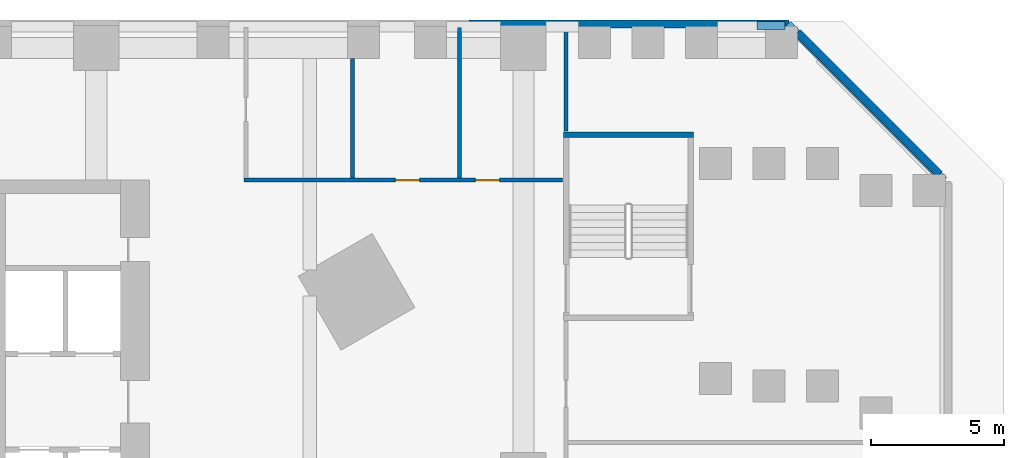
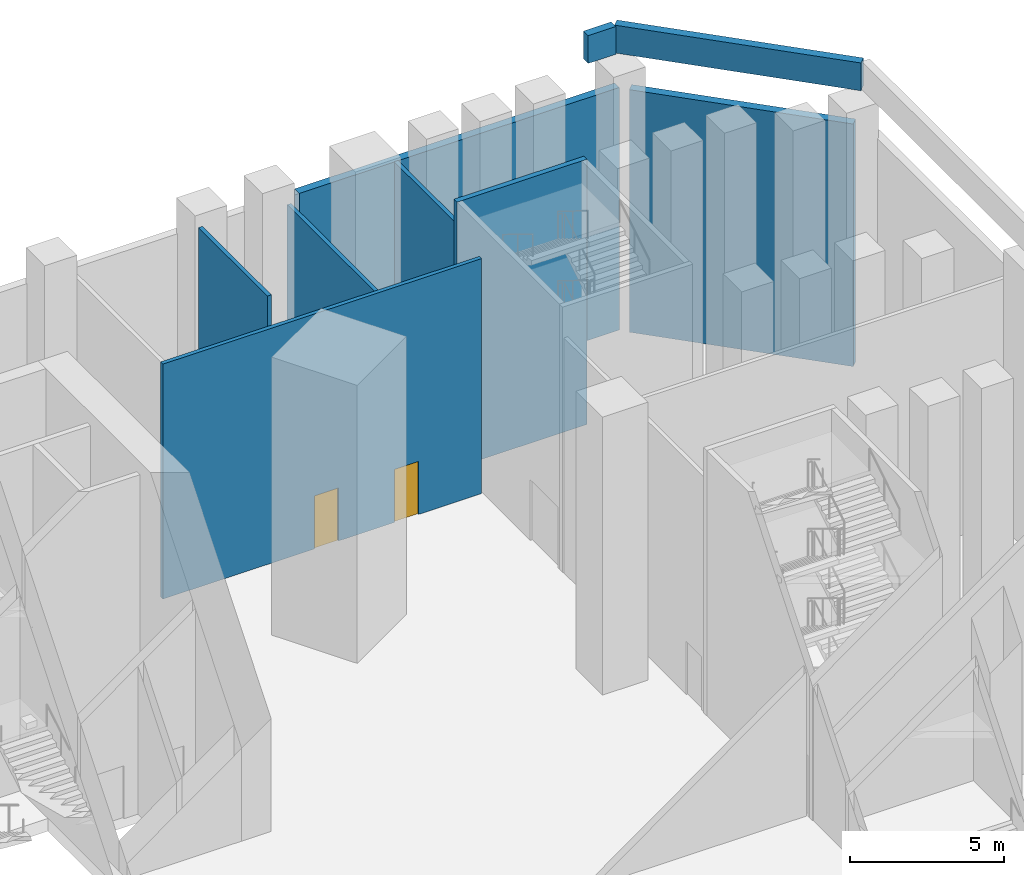
# One storey, part 12 of 31: 9 walls, 2 doors, 2 openings.
"""IFC4 building model written with IfcOpenShell, lengths in metres."""

from ifc_helpers import new_model, si_unit, direction, frame, frame_2d, origin, place, context, subcontext, project, spatial, rectangle, extrude, material, layer, layer_set, type_object, element, fill, save


model = new_model("IFC4")

# Units and contexts
model_context = context("Model", 3, precision=1e-05, world=origin(), true_north=direction((0.0, 1.0)))
body_context = subcontext(model_context, "Body", "Model", "MODEL_VIEW")
ifc_project = project(units=[si_unit("LENGTHUNIT", "METRE"), si_unit("AREAUNIT", "SQUARE_METRE"), si_unit("VOLUMEUNIT", "CUBIC_METRE"), si_unit("PLANEANGLEUNIT", "RADIAN"), si_unit("MASSUNIT", "GRAM", prefix="KILO")], contexts=[model_context])

# Site, building, storey
site_placement = place(None, origin())
site = spatial("IfcSite", under=ifc_project, at=site_placement, CompositionType="ELEMENT")
building_placement = place(site_placement, origin())
building = spatial("IfcBuilding", under=site, at=building_placement, Name="Calabash Gate Tower", CompositionType="ELEMENT")
storey_placement = place(building_placement, frame((0.0, 0.0, 9.0)))
storey = spatial("IfcBuildingStorey", under=building, at=storey_placement, Name="L01", CompositionType="ELEMENT", Elevation=9.0)

# Wall, openings, doors
ifc_material_1 = material(Name="Gypsum board on steel studs, mineral wool", Category="steel")
ifc_layer_1 = layer(ifc_material_1, 0.14990234375)
ifc_layer_set_1 = layer_set([ifc_layer_1], Name="Partition 150 gypsum board")
wall_type_1 = type_object("IfcWallType", Name="Partition 150 gypsum board", PredefinedType="PARTITIONING", material=ifc_layer_set_1)
wall_1_placement = place(storey_placement, frame((21.52490234375, 19.050048828125, 0.0), z_axis=(0.0, 0.0, 1.0), x_axis=(1.0, 0.0, 0.0)))
wall_1 = element("IfcWall", 1, at=wall_1_placement, inside=storey, type_object=wall_type_1, Name="Partition", PredefinedType="PARTITIONING", context=body_context, shape_type="SweptSolid", body=[
    extrude(rectangle(XDim=11.93505859375, YDim=0.14990234375, at=frame_2d((5.967529296875, 0.0))), origin(), (0.0, 0.0, 1.0), 9.300048828125),
])
opening_1_placement = place(wall_1_placement, frame((5.675048828125, 0.0, 0.0)))
opening_1 = element("IfcOpeningElement", 2, at=opening_1_placement, cuts=wall_1, Name="Opening L01-042", PredefinedType="OPENING", context=body_context, shape_type="SweptSolid", body=[
    extrude(rectangle(XDim=0.89990234375, YDim=2.10009765625, at=frame_2d((0.449951171875, 1.050048828125))), frame((0.0, 0.0849609375, 0.0), z_axis=(0.0, -1.0, 0.0), x_axis=(1.0, 0.0, 0.0)), (0.0, 0.0, 1.0), 0.169921875),
])
opening_2_placement = place(wall_1_placement, frame((8.675048828125, 0.0, 0.0)))
opening_2 = element("IfcOpeningElement", 3, at=opening_2_placement, cuts=wall_1, Name="Opening L01-043", PredefinedType="OPENING", context=body_context, shape_type="SweptSolid", body=[
    extrude(rectangle(XDim=0.89990234375, YDim=2.10009765625, at=frame_2d((0.449951171875, 1.050048828125))), frame((0.0, 0.0849609375, 0.0), z_axis=(0.0, -1.0, 0.0), x_axis=(1.0, 0.0, 0.0)), (0.0, 0.0, 1.0), 0.169921875),
])
ifc_material_2 = material(Name="Steel fire door set with fire-resisting glazing", Category="steel")
door_type = type_object("IfcDoorType", Name="Fire door D13 900x2100 FD30", OperationType="NOTDEFINED", PredefinedType="DOOR", material=ifc_material_2)
door_1_placement = place(opening_1_placement, origin())
door_1 = element("IfcDoor", 4, at=door_1_placement, inside=storey, type_object=door_type, Name="Women's WC door", OperationType="SINGLE_SWING_RIGHT", OverallHeight=2.10009765625, OverallWidth=0.89990234375, PredefinedType="DOOR", context=body_context, shape_type="SweptSolid", body=[
    extrude(rectangle(XDim=0.89990234375, YDim=2.10009765625, at=frame_2d((0.449951171875, 1.050048828125))), frame((0.0, 0.02490234375, 0.0), z_axis=(0.0, -1.0, 0.0), x_axis=(1.0, 0.0, 0.0)), (0.0, 0.0, 1.0), 0.050048828125),
])
fill(opening_1, door_1)
door_2_placement = place(opening_2_placement, origin())
door_2 = element("IfcDoor", 5, at=door_2_placement, inside=storey, type_object=door_type, Name="Accessible WC door", OperationType="SINGLE_SWING_RIGHT", OverallHeight=2.10009765625, OverallWidth=0.89990234375, PredefinedType="DOOR", context=body_context, shape_type="SweptSolid", body=[
    extrude(rectangle(XDim=0.89990234375, YDim=2.10009765625, at=frame_2d((0.449951171875, 1.050048828125))), frame((0.0, 0.02490234375, 0.0), z_axis=(0.0, -1.0, 0.0), x_axis=(1.0, 0.0, 0.0)), (0.0, 0.0, 1.0), 0.050048828125),
])
fill(opening_2, door_2)

# Walls
wall_2_placement = place(storey_placement, frame((25.60009765625, 19.125, 0.0), z_axis=(0.0, 0.0, 1.0), x_axis=(0.0, 1.0, 0.0)))
element("IfcWall", 6, at=wall_2_placement, inside=storey, type_object=wall_type_1, Name="Partition", PredefinedType="PARTITIONING", context=body_context, shape_type="SweptSolid", body=[
    extrude(rectangle(XDim=4.47509765625, YDim=0.14990234375, at=frame_2d((2.237548828125, 0.0))), origin(), (0.0, 0.0, 1.0), 10.5),
])
wall_3_placement = place(storey_placement, frame((29.60009765625, 19.125, 0.0), z_axis=(0.0, 0.0, 1.0), x_axis=(0.0, 1.0, 0.0)))
element("IfcWall", 7, at=wall_3_placement, inside=storey, type_object=wall_type_1, Name="Partition", PredefinedType="PARTITIONING", context=body_context, shape_type="SweptSolid", body=[
    extrude(rectangle(XDim=5.64501953125, YDim=0.14990234375, at=frame_2d((2.822509765625, 0.0))), origin(), (0.0, 0.0, 1.0), 9.300048828125),
])
wall_4_placement = place(storey_placement, frame((33.60009765625, 20.889892578125, 0.0), z_axis=(0.0, 0.0, 1.0), x_axis=(0.0, 1.0, 0.0)))
element("IfcWall", 8, at=wall_4_placement, inside=storey, type_object=wall_type_1, Name="Partition", PredefinedType="PARTITIONING", context=body_context, shape_type="SweptSolid", body=[
    extrude(rectangle(XDim=3.880126953125, YDim=0.14990234375, at=frame_2d((1.93994140625, 0.0))), origin(), (0.0, 0.0, 1.0), 9.60009765625),
])
ifc_material_3 = material(Name="Terracotta brick masonry, exposed face", Category="masonry")
ifc_layer_2 = layer(ifc_material_3, 0.300048828125)
ifc_layer_set_2 = layer_set([ifc_layer_2], Name="Podium brick wall 300")
wall_type_2 = type_object("IfcWallType", Name="Podium brick wall 300", PredefinedType="SOLIDWALL", material=ifc_layer_set_2)
wall_5_placement = place(storey_placement, frame((47.587646484375, 19.27099609375, 0.0), z_axis=(0.0, 0.0, 1.0), x_axis=(-0.707106781187, 0.707106781187, 0.0)))
element("IfcWall", 9, at=wall_5_placement, inside=storey, type_object=wall_type_2, Name="Podium brick wall L01 3.0.0", PredefinedType="SOLIDWALL", context=body_context, shape_type="SweptSolid", body=[
    extrude(rectangle(XDim=7.518798828125, YDim=0.300048828125, at=frame_2d((3.75927734375, 0.0))), origin(), (0.0, 0.0, 1.0), 9.60009765625),
])
wall_6_placement = place(storey_placement, frame((41.949951171875, 24.89990234375, 0.0), z_axis=(0.0, 0.0, 1.0), x_axis=(-1.0, 0.0, 0.0)))
element("IfcWall", 10, at=wall_6_placement, inside=storey, type_object=wall_type_2, Name="Podium brick wall L01 4.0.0", PredefinedType="SOLIDWALL", context=body_context, shape_type="SweptSolid", body=[
    extrude(rectangle(XDim=11.985595703125, YDim=0.300048828125, at=frame_2d((5.99267578125, 0.0))), origin(), (0.0, 0.0, 1.0), 9.60009765625),
])
ifc_material_4 = material(Name="Terracotta brick masonry, exposed face", Category="masonry")
ifc_layer_3 = layer(ifc_material_4, 0.300048828125)
ifc_layer_set_3 = layer_set([ifc_layer_3], Name="Podium parapet wall 300")
wall_type_3 = type_object("IfcWallType", Name="Podium parapet wall 300", PredefinedType="PARAPET", material=ifc_layer_set_3)
wall_7_placement = place(storey_placement, frame((47.745361328125, 19.04248046875, 11.0), z_axis=(0.0, 0.0, 1.0), x_axis=(-0.707092029666, 0.7071215324, 0.0)))
element("IfcWall", 11, at=wall_7_placement, inside=storey, type_object=wall_type_3, Name="Podium parapet L01 3.0.0", PredefinedType="PARAPET", context=body_context, shape_type="SweptSolid", body=[
    extrude(rectangle(XDim=8.275146484375, YDim=0.300048828125, at=frame_2d((4.1376953125, 0.0))), origin(), (0.0, 0.0, 1.0), 1.10009765625),
])
wall_8_placement = place(storey_placement, frame((41.7900390625, 24.85009765625, 11.0), z_axis=(0.0, 0.0, 1.0), x_axis=(-1.0, 0.0, 0.0)))
element("IfcWall", 12, at=wall_8_placement, inside=storey, type_object=wall_type_3, Name="Podium parapet L01 4.0.0", PredefinedType="PARAPET", context=body_context, shape_type="SweptSolid", body=[
    extrude(rectangle(XDim=1.0400390625, YDim=0.300048828125, at=frame_2d((0.52001953125, 0.0))), origin(), (0.0, 0.0, 1.0), 1.10009765625),
])
ifc_material_5 = material(Name="Concrete C40/50", Category="concrete")
ifc_layer_4 = layer(ifc_material_5, 0.199951171875)
ifc_layer_set_4 = layer_set([ifc_layer_4], Name="Stair wall 200 Concrete C40/50")
wall_type_4 = type_object("IfcWallType", Name="Stair wall 200 Concrete C40/50", PredefinedType="SOLIDWALL", material=ifc_layer_set_4)
wall_9_placement = place(storey_placement, frame((33.5, 20.75, 0.0), z_axis=(0.0, 0.0, 1.0), x_axis=(1.0, 0.0, 0.0)))
element("IfcWall", 13, at=wall_9_placement, inside=storey, type_object=wall_type_4, Name="Stair wall", PredefinedType="SOLIDWALL", context=body_context, shape_type="SweptSolid", body=[
    extrude(rectangle(XDim=4.8701171875, YDim=0.199951171875, at=frame_2d((2.43505859375, 0.0))), origin(), (0.0, 0.0, 1.0), 10.5),
])

save(model, "model.ifc")
